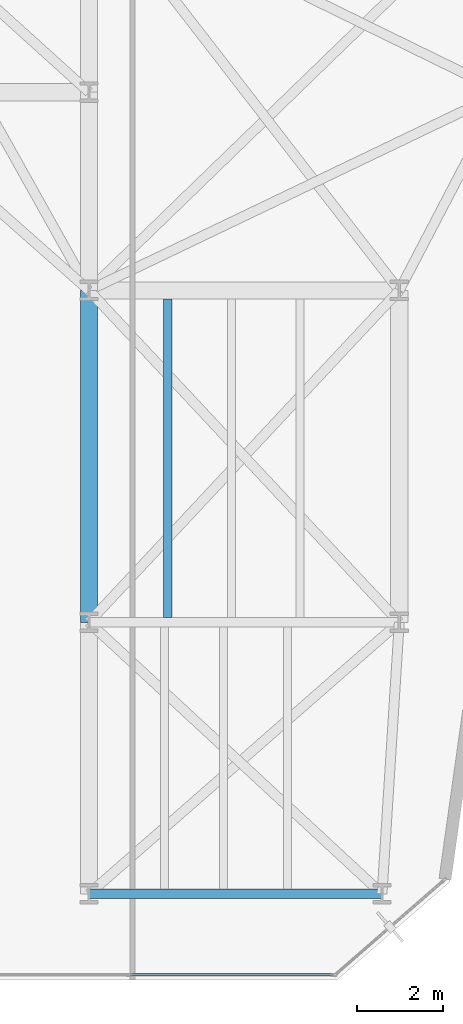
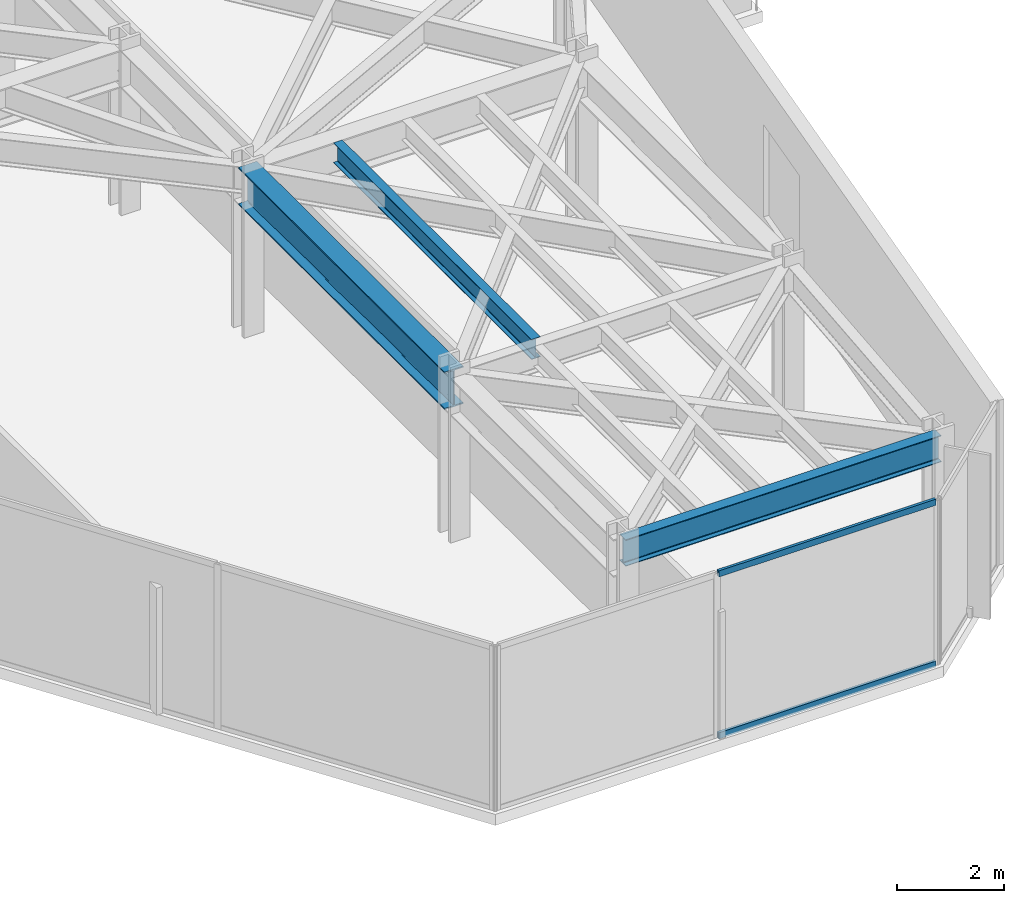
# One storey, part 18 of 26: 3 beams, 2 members, 1 element without a shape of its own.
"""IFC4 building model written with IfcOpenShell, lengths in metres."""

from ifc_helpers import new_model, si_unit, direction, frame, origin, origin_2d, place, context, subcontext, project, spatial, hollow_rectangle, i_section, extrude, material, layer, layer_set, material_profile, profile_set, type_object, element, aggregate, save


model = new_model("IFC4")

# Units and contexts
model_context = context("Model", 3, precision=1e-05, world=origin(), true_north=direction((0.0, 1.0)))
body_context = subcontext(model_context, "Body", "Model", "MODEL_VIEW")
ifc_project = project(units=[si_unit("LENGTHUNIT", "METRE"), si_unit("AREAUNIT", "SQUARE_METRE"), si_unit("VOLUMEUNIT", "CUBIC_METRE"), si_unit("PLANEANGLEUNIT", "RADIAN"), si_unit("MASSUNIT", "GRAM", prefix="KILO")], contexts=[model_context])

# Site, building, storey
site_placement = place(None, origin())
site = spatial("IfcSite", under=ifc_project, at=site_placement, CompositionType="ELEMENT")
building_placement = place(site_placement, origin())
building = spatial("IfcBuilding", under=site, at=building_placement, Name="Kravanh Interchange Tower", CompositionType="ELEMENT")
storey_placement = place(building_placement, frame((0.0, 0.0, 116.0)))
storey = spatial("IfcBuildingStorey", under=building, at=storey_placement, Name="L27", CompositionType="ELEMENT", Elevation=116.0)

# Curtain wall, members
ifc_material_1 = material(Name="Anodised Bronze Aluminium", Category="aluminium")
ifc_layer = layer(ifc_material_1, 0.179931640625)
ifc_layer_set = layer_set([ifc_layer], Name="Unitised Curtain Wall System CW-Z2 Mid Office")
curtain_wall_type = type_object("IfcCurtainWallType", Name="Unitised Curtain Wall System CW-Z2 Mid Office", PredefinedType="NOTDEFINED", material=ifc_layer_set)
curtain_wall_placement = place(storey_placement, origin())
curtain_wall = element("IfcCurtainWall", 1, at=curtain_wall_placement, inside=storey, type_object=curtain_wall_type, Name="L27 Unitised Curtain Wall CW-L27-03", PredefinedType="NOTDEFINED")
ifc_material_2 = material(Name="Anodised Bronze Aluminium", Category="aluminium")
ifc_material_profile_1 = material_profile(ifc_material_2, hollow_rectangle(XDim=0.06005859375, YDim=0.139892578125, WallThickness=0.00390625, at=origin_2d()), Name="ALU60X140X4")
ifc_profile_set_1 = profile_set([ifc_material_profile_1], Name="Anodised Bronze Aluminium")
member_type = type_object("IfcMemberType", Name="Curtain Wall Transom ALU60X140X4 Bronze", PredefinedType="USERDEFINED", material=ifc_profile_set_1)
member_1_placement = place(storey_placement, frame((61.650146484375, 6.320068359375, 0.030029296875), z_axis=(-1.0, 0.0, 0.0), x_axis=(0.0, -1.0, 0.0)))
member_1 = element("IfcMember", 2, at=member_1_placement, type_object=member_type, Name="CW-Z2 transom 1.1", ObjectType="TRANSOM", PredefinedType="USERDEFINED", context=body_context, shape_type="SweptSolid", body=[
    extrude(hollow_rectangle(XDim=0.06005859375, YDim=0.139892578125, WallThickness=0.00390625, at=origin_2d()), origin(), (0.0, 0.0, 1.0), 4.68212890625),
])
member_2_placement = place(storey_placement, frame((61.650146484375, 6.320068359375, 3.719970703125), z_axis=(-1.0, 0.0, 0.0), x_axis=(0.0, -1.0, 0.0)))
member_2 = element("IfcMember", 3, at=member_2_placement, type_object=member_type, Name="CW-Z2 transom 1.2", ObjectType="TRANSOM", PredefinedType="USERDEFINED", context=body_context, shape_type="SweptSolid", body=[
    extrude(hollow_rectangle(XDim=0.06005859375, YDim=0.139892578125, WallThickness=0.00390625, at=origin_2d()), origin(), (0.0, 0.0, 1.0), 4.68212890625),
])
aggregate(curtain_wall, [member_1, member_2])

# Beams
ifc_material_3 = material(Name="Structural Steel S355", Category="steel")
ifc_material_profile_2 = material_profile(ifc_material_3, i_section(OverallWidth=0.39990234375, OverallDepth=0.85595703125, WebThickness=0.018310546875, FlangeThickness=0.029296875, FilletRadius=0.02490234375, at=origin_2d()), Name="W33X201")
ifc_profile_set_2 = profile_set([ifc_material_profile_2], Name="Structural Steel S355")
beam_type_1 = type_object("IfcBeamType", Name="Floor Beam W33X201 Structural Steel S355", PredefinedType="BEAM", material=ifc_profile_set_2)
beam_1_placement = place(storey_placement, frame((56.0, 14.5, 3.322021484375), z_axis=(0.0, 1.0, 0.0), x_axis=(-1.0, 0.0, 0.0)))
element("IfcBeam", 4, at=beam_1_placement, inside=storey, type_object=beam_type_1, Name="L27 Primary Floor Girder 104", PredefinedType="BEAM", context=body_context, shape_type="SweptSolid", body=[
    extrude(i_section(OverallWidth=0.39990234375, OverallDepth=0.85595703125, WebThickness=0.018310546875, FlangeThickness=0.029296875, FilletRadius=0.02490234375, at=origin_2d()), origin(), (0.0, 0.0, 1.0), 7.699951171875),
])
ifc_material_4 = material(Name="Structural Steel S355", Category="steel")
ifc_material_profile_3 = material_profile(ifc_material_4, i_section(OverallWidth=0.18994140625, OverallDepth=0.45703125, WebThickness=0.009033203125, FlangeThickness=0.014404296875, FilletRadius=0.01806640625, at=origin_2d()), Name="W18X50")
ifc_profile_set_3 = profile_set([ifc_material_profile_3], Name="Structural Steel S355")
beam_type_2 = type_object("IfcBeamType", Name="Floor Joist W18X50 Structural Steel S355", PredefinedType="JOIST", material=ifc_profile_set_3)
beam_2_placement = place(storey_placement, frame((57.830078125, 14.60888671875, 3.521484375), z_axis=(0.0, 1.0, 0.0), x_axis=(-1.0, 0.0, 0.0)))
element("IfcBeam", 5, at=beam_2_placement, inside=storey, type_object=beam_type_2, Name="L27 Secondary Floor Joist 10", PredefinedType="JOIST", context=body_context, shape_type="SweptSolid", body=[
    extrude(i_section(OverallWidth=0.18994140625, OverallDepth=0.45703125, WebThickness=0.009033203125, FlangeThickness=0.014404296875, FilletRadius=0.01806640625, at=origin_2d()), origin(), (0.0, 0.0, 1.0), 7.39599609375),
])
ifc_material_5 = material(Name="Structural Steel S355", Category="steel")
ifc_material_profile_4 = material_profile(ifc_material_5, i_section(OverallWidth=0.22802734375, OverallDepth=0.60791015625, WebThickness=0.01123046875, FlangeThickness=0.017333984375, FilletRadius=0.02197265625, at=origin_2d()), Name="W24X76")
ifc_profile_set_4 = profile_set([ifc_material_profile_4], Name="Structural Steel S355")
beam_type_3 = type_object("IfcBeamType", Name="Floor Spandrel W24X76 Structural Steel S355", PredefinedType="SPANDREL", material=ifc_profile_set_4)
beam_3_placement = place(storey_placement, frame((56.0, 8.199951171875, 3.446044921875), z_axis=(1.0, 0.0, 0.0), x_axis=(0.0, 1.0, 0.0)))
element("IfcBeam", 6, at=beam_3_placement, inside=storey, type_object=beam_type_3, Name="L27 Perimeter Spandrel 96", PredefinedType="SPANDREL", context=body_context, shape_type="SweptSolid", body=[
    extrude(i_section(OverallWidth=0.22802734375, OverallDepth=0.60791015625, WebThickness=0.01123046875, FlangeThickness=0.017333984375, FilletRadius=0.02197265625, at=origin_2d()), origin(), (0.0, 0.0, 1.0), 6.800048828125),
])

save(model, "model.ifc")
